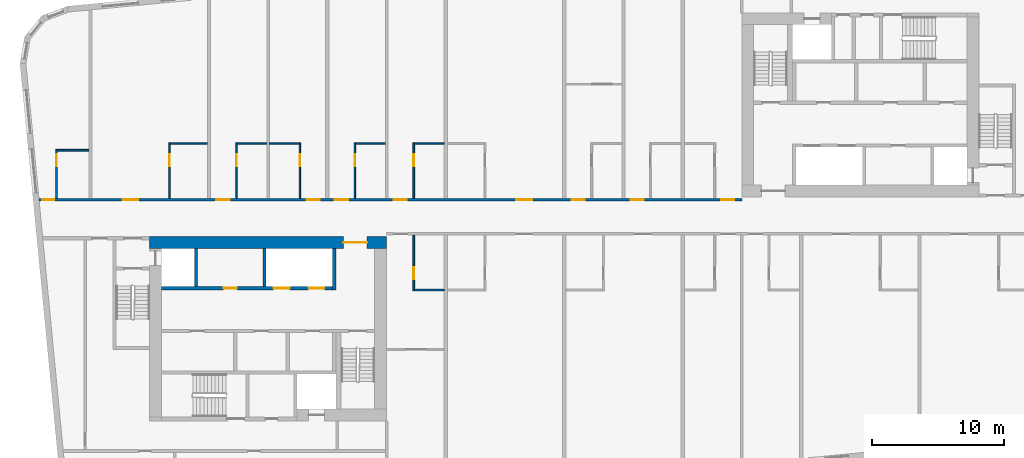
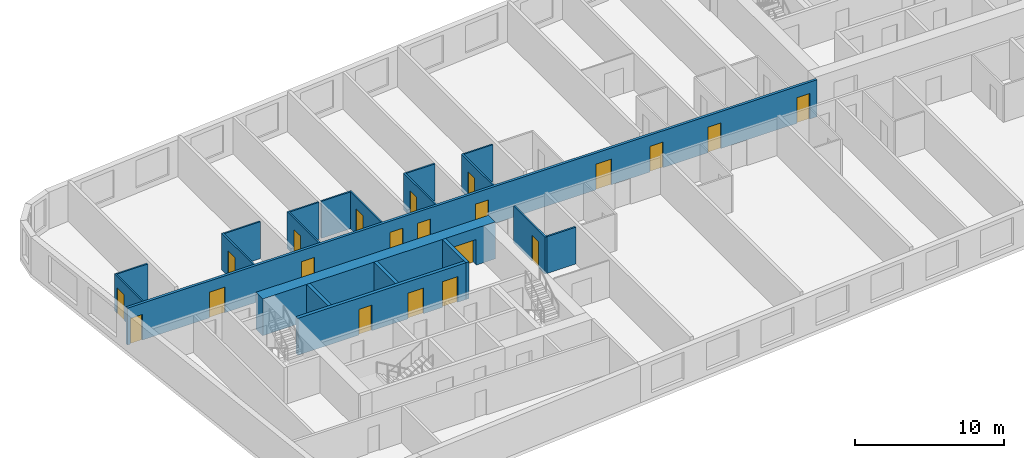
# One storey, part 3 of 11: 21 doors, 20 walls, 21 openings.
"""IFC4 building model written with IfcOpenShell, lengths in metres."""

from ifc_helpers import new_model, si_unit, direction, frame, frame_2d, origin, place, context, subcontext, project, spatial, rectangle, extrude, material, layer, layer_set, type_object, element, fill, save


model = new_model("IFC4")

# Units and contexts
model_context = context("Model", 3, precision=1e-05, world=origin(), true_north=direction((0.0, 1.0)))
body_context = subcontext(model_context, "Body", "Model", "MODEL_VIEW")
ifc_project = project(units=[si_unit("LENGTHUNIT", "METRE"), si_unit("AREAUNIT", "SQUARE_METRE"), si_unit("VOLUMEUNIT", "CUBIC_METRE"), si_unit("PLANEANGLEUNIT", "RADIAN"), si_unit("MASSUNIT", "GRAM", prefix="KILO")], contexts=[model_context])

# Site, building, storey
site_placement = place(None, origin())
site = spatial("IfcSite", under=ifc_project, at=site_placement, CompositionType="ELEMENT")
building_placement = place(site_placement, origin())
building = spatial("IfcBuilding", under=site, at=building_placement, Name="Kajstack Hotel Tower", CompositionType="ELEMENT")
storey_placement = place(building_placement, frame((0.0, 0.0, 291.60009765625)))
storey = spatial("IfcBuildingStorey", under=building, at=storey_placement, Name="L73", CompositionType="ELEMENT", Elevation=291.60009765625)

# Wall, opening, door
ifc_material_1 = material(Name="Concrete C60/75", Category="concrete")
ifc_layer_1 = layer(ifc_material_1, 0.89990234375)
ifc_layer_set_1 = layer_set([ifc_layer_1], Name="Core wall 900")
wall_type_1 = type_object("IfcWallType", Name="Core wall 900", PredefinedType="SHEAR", material=ifc_layer_set_1)
wall_1_placement = place(storey_placement, frame((-31.5, -1.949951171875, 0.0), z_axis=(0.0, 0.0, 1.0), x_axis=(1.0, 0.0, 0.0)))
wall_1 = element("IfcWall", 1, at=wall_1_placement, inside=storey, type_object=wall_type_1, Name="Core wall W RN", PredefinedType="SHEAR", context=body_context, shape_type="SweptSolid", body=[
    extrude(rectangle(XDim=18.0, YDim=0.89990234375, at=frame_2d((9.0, 0.0))), origin(), (0.0, 0.0, 1.0), 3.02001953125),
])
opening_1_placement = place(wall_1_placement, frame((14.72509765625, 0.0, 0.0)))
opening_1 = element("IfcOpeningElement", 2, at=opening_1_placement, cuts=wall_1, Name="Opening 73W05", PredefinedType="OPENING", context=body_context, shape_type="SweptSolid", body=[
    extrude(rectangle(XDim=1.800048828125, YDim=2.10009765625, at=frame_2d((0.89990234375, 1.050048828125))), frame((0.0, 0.4599609375, 0.0), z_axis=(0.0, -1.0, 0.0), x_axis=(1.0, 0.0, 0.0)), (0.0, 0.0, 1.0), 0.919921875),
])
ifc_material_2 = material(Name="Glazed steel frame, fire-rated glass", Category="steel")
door_type_1 = type_object("IfcDoorType", Name="Lobby double door 1800", OperationType="DOUBLE_DOOR_DOUBLE_SWING", PredefinedType="DOOR", material=ifc_material_2)
door_1_placement = place(opening_1_placement, origin())
door_1 = element("IfcDoor", 3, at=door_1_placement, inside=storey, type_object=door_type_1, Name="Door 73W05", OperationType="DOUBLE_DOOR_DOUBLE_SWING", OverallHeight=2.10009765625, OverallWidth=1.800048828125, PredefinedType="DOOR", context=body_context, shape_type="SweptSolid", body=[
    extrude(rectangle(XDim=1.800048828125, YDim=2.10009765625, at=frame_2d((0.89990234375, 1.050048828125))), frame((0.0, 0.02490234375, 0.0), z_axis=(0.0, -1.0, 0.0), x_axis=(1.0, 0.0, 0.0)), (0.0, 0.0, 1.0), 0.050048828125),
])
fill(opening_1, door_1)

# Wall, openings, doors
ifc_material_3 = material(Name="Gypsum board on steel studs, mineral wool", Category="steel")
ifc_layer_2 = layer(ifc_material_3, 0.199951171875)
ifc_layer_set_2 = layer_set([ifc_layer_2], Name="Corridor wall 200")
wall_type_2 = type_object("IfcWallType", Name="Corridor wall 200", PredefinedType="PARTITIONING", material=ifc_layer_set_2)
wall_2_placement = place(storey_placement, frame((-39.908935546875, 1.300048828125, 0.0), z_axis=(0.0, 0.0, 1.0), x_axis=(1.0, 0.0, 0.0)))
wall_2 = element("IfcWall", 4, at=wall_2_placement, inside=storey, type_object=wall_type_2, Name="G-wall-L73-003", PredefinedType="PARTITIONING", context=body_context, shape_type="SweptSolid", body=[
    extrude(rectangle(XDim=53.408935546875, YDim=0.199951171875, at=frame_2d((26.70458984375, 0.0))), origin(), (0.0, 0.0, 1.0), 3.02001953125),
])
opening_2_placement = place(wall_2_placement, frame((0.2548828125, 0.0, 0.0)))
opening_2 = element("IfcOpeningElement", 5, at=opening_2_placement, cuts=wall_2, Name="Opening 73001", PredefinedType="OPENING", context=body_context, shape_type="SweptSolid", body=[
    extrude(rectangle(XDim=0.89990234375, YDim=2.10009765625, at=frame_2d((0.449951171875, 1.050048828125))), frame((0.0, 0.10986328125, 0.0), z_axis=(0.0, -1.0, 0.0), x_axis=(1.0, 0.0, 0.0)), (0.0, 0.0, 1.0), 0.219970703125),
])
opening_3_placement = place(wall_2_placement, frame((6.346923828125, 0.0, 0.0)))
opening_3 = element("IfcOpeningElement", 6, at=opening_3_placement, cuts=wall_2, Name="Opening 73003", PredefinedType="OPENING", context=body_context, shape_type="SweptSolid", body=[
    extrude(rectangle(XDim=1.199951171875, YDim=2.10009765625, at=frame_2d((0.60009765625, 1.050048828125))), frame((0.0, 0.10986328125, 0.0), z_axis=(0.0, -1.0, 0.0), x_axis=(1.0, 0.0, 0.0)), (0.0, 0.0, 1.0), 0.219970703125),
])
opening_4_placement = place(wall_2_placement, frame((13.48388671875, 0.0, 0.0)))
opening_4 = element("IfcOpeningElement", 7, at=opening_4_placement, cuts=wall_2, Name="Opening 73005", PredefinedType="OPENING", context=body_context, shape_type="SweptSolid", body=[
    extrude(rectangle(XDim=1.0, YDim=2.10009765625, at=frame_2d((0.5, 1.050048828125))), frame((0.0, 0.10986328125, 0.0), z_axis=(0.0, -1.0, 0.0), x_axis=(1.0, 0.0, 0.0)), (0.0, 0.0, 1.0), 0.219970703125),
])
opening_5_placement = place(wall_2_placement, frame((20.333984375, 0.0, 0.0)))
opening_5 = element("IfcOpeningElement", 8, at=opening_5_placement, cuts=wall_2, Name="Opening 73007", PredefinedType="OPENING", context=body_context, shape_type="SweptSolid", body=[
    extrude(rectangle(XDim=1.0, YDim=2.10009765625, at=frame_2d((0.5, 1.050048828125))), frame((0.0, 0.10986328125, 0.0), z_axis=(0.0, -1.0, 0.0), x_axis=(1.0, 0.0, 0.0)), (0.0, 0.0, 1.0), 0.219970703125),
])
opening_6_placement = place(wall_2_placement, frame((22.48388671875, 0.0, 0.0)))
opening_6 = element("IfcOpeningElement", 9, at=opening_6_placement, cuts=wall_2, Name="Opening 73009", PredefinedType="OPENING", context=body_context, shape_type="SweptSolid", body=[
    extrude(rectangle(XDim=1.0, YDim=2.10009765625, at=frame_2d((0.5, 1.050048828125))), frame((0.0, 0.10986328125, 0.0), z_axis=(0.0, -1.0, 0.0), x_axis=(1.0, 0.0, 0.0)), (0.0, 0.0, 1.0), 0.219970703125),
])
opening_7_placement = place(wall_2_placement, frame((26.958984375, 0.0, 0.0)))
opening_7 = element("IfcOpeningElement", 10, at=opening_7_placement, cuts=wall_2, Name="Opening 73011", PredefinedType="OPENING", context=body_context, shape_type="SweptSolid", body=[
    extrude(rectangle(XDim=1.0, YDim=2.10009765625, at=frame_2d((0.5, 1.050048828125))), frame((0.0, 0.10986328125, 0.0), z_axis=(0.0, -1.0, 0.0), x_axis=(1.0, 0.0, 0.0)), (0.0, 0.0, 1.0), 0.219970703125),
])
opening_8_placement = place(wall_2_placement, frame((36.27099609375, 0.0, 0.0)))
opening_8 = element("IfcOpeningElement", 11, at=opening_8_placement, cuts=wall_2, Name="Opening 73013", PredefinedType="OPENING", context=body_context, shape_type="SweptSolid", body=[
    extrude(rectangle(XDim=1.199951171875, YDim=2.10009765625, at=frame_2d((0.60009765625, 1.050048828125))), frame((0.0, 0.10986328125, 0.0), z_axis=(0.0, -1.0, 0.0), x_axis=(1.0, 0.0, 0.0)), (0.0, 0.0, 1.0), 0.219970703125),
])
opening_9_placement = place(wall_2_placement, frame((40.48388671875, 0.0, 0.0)))
opening_9 = element("IfcOpeningElement", 12, at=opening_9_placement, cuts=wall_2, Name="Opening 73015", PredefinedType="OPENING", context=body_context, shape_type="SweptSolid", body=[
    extrude(rectangle(XDim=1.0, YDim=2.10009765625, at=frame_2d((0.5, 1.050048828125))), frame((0.0, 0.10986328125, 0.0), z_axis=(0.0, -1.0, 0.0), x_axis=(1.0, 0.0, 0.0)), (0.0, 0.0, 1.0), 0.219970703125),
])
opening_10_placement = place(wall_2_placement, frame((44.958984375, 0.0, 0.0)))
opening_10 = element("IfcOpeningElement", 13, at=opening_10_placement, cuts=wall_2, Name="Opening 73018", PredefinedType="OPENING", context=body_context, shape_type="SweptSolid", body=[
    extrude(rectangle(XDim=1.0, YDim=2.10009765625, at=frame_2d((0.5, 1.050048828125))), frame((0.0, 0.10986328125, 0.0), z_axis=(0.0, -1.0, 0.0), x_axis=(1.0, 0.0, 0.0)), (0.0, 0.0, 1.0), 0.219970703125),
])
opening_11_placement = place(wall_2_placement, frame((51.833984375, 0.0, 0.0)))
opening_11 = element("IfcOpeningElement", 14, at=opening_11_placement, cuts=wall_2, Name="Opening 73020", PredefinedType="OPENING", context=body_context, shape_type="SweptSolid", body=[
    extrude(rectangle(XDim=1.0, YDim=2.10009765625, at=frame_2d((0.5, 1.050048828125))), frame((0.0, 0.10986328125, 0.0), z_axis=(0.0, -1.0, 0.0), x_axis=(1.0, 0.0, 0.0)), (0.0, 0.0, 1.0), 0.219970703125),
])
ifc_material_4 = material(Name="Oak veneer on timber core, fire-rated leaf", Category="wood")
door_type_2 = type_object("IfcDoorType", Name="Flat entrance door 1000", OperationType="SINGLE_SWING_LEFT", PredefinedType="DOOR", material=ifc_material_4)
door_2_placement = place(opening_4_placement, origin())
door_2 = element("IfcDoor", 15, at=door_2_placement, inside=storey, type_object=door_type_2, Name="G-door-L73-05", OperationType="SINGLE_SWING_RIGHT", OverallHeight=2.10009765625, OverallWidth=1.0, PredefinedType="DOOR", context=body_context, shape_type="SweptSolid", body=[
    extrude(rectangle(XDim=1.0, YDim=2.10009765625, at=frame_2d((0.5, 1.050048828125))), frame((0.0, 0.02490234375, 0.0), z_axis=(0.0, -1.0, 0.0), x_axis=(1.0, 0.0, 0.0)), (0.0, 0.0, 1.0), 0.050048828125),
])
fill(opening_4, door_2)
door_3_placement = place(opening_5_placement, origin())
door_3 = element("IfcDoor", 16, at=door_3_placement, inside=storey, type_object=door_type_2, Name="G-door-L73-07", OperationType="SINGLE_SWING_LEFT", OverallHeight=2.10009765625, OverallWidth=1.0, PredefinedType="DOOR", context=body_context, shape_type="SweptSolid", body=[
    extrude(rectangle(XDim=1.0, YDim=2.10009765625, at=frame_2d((0.5, 1.050048828125))), frame((0.0, 0.02490234375, 0.0), z_axis=(0.0, -1.0, 0.0), x_axis=(1.0, 0.0, 0.0)), (0.0, 0.0, 1.0), 0.050048828125),
])
fill(opening_5, door_3)
door_4_placement = place(opening_6_placement, origin())
door_4 = element("IfcDoor", 17, at=door_4_placement, inside=storey, type_object=door_type_2, Name="G-door-L73-09", OperationType="SINGLE_SWING_LEFT", OverallHeight=2.10009765625, OverallWidth=1.0, PredefinedType="DOOR", context=body_context, shape_type="SweptSolid", body=[
    extrude(rectangle(XDim=1.0, YDim=2.10009765625, at=frame_2d((0.5, 1.050048828125))), frame((0.0, 0.02490234375, 0.0), z_axis=(0.0, -1.0, 0.0), x_axis=(1.0, 0.0, 0.0)), (0.0, 0.0, 1.0), 0.050048828125),
])
fill(opening_6, door_4)
door_5_placement = place(opening_7_placement, origin())
door_5 = element("IfcDoor", 18, at=door_5_placement, inside=storey, type_object=door_type_2, Name="G-door-L73-11", OperationType="SINGLE_SWING_RIGHT", OverallHeight=2.10009765625, OverallWidth=1.0, PredefinedType="DOOR", context=body_context, shape_type="SweptSolid", body=[
    extrude(rectangle(XDim=1.0, YDim=2.10009765625, at=frame_2d((0.5, 1.050048828125))), frame((0.0, 0.02490234375, 0.0), z_axis=(0.0, -1.0, 0.0), x_axis=(1.0, 0.0, 0.0)), (0.0, 0.0, 1.0), 0.050048828125),
])
fill(opening_7, door_5)
door_6_placement = place(opening_9_placement, origin())
door_6 = element("IfcDoor", 19, at=door_6_placement, inside=storey, type_object=door_type_2, Name="G-door-L73-15", OperationType="SINGLE_SWING_LEFT", OverallHeight=2.10009765625, OverallWidth=1.0, PredefinedType="DOOR", context=body_context, shape_type="SweptSolid", body=[
    extrude(rectangle(XDim=1.0, YDim=2.10009765625, at=frame_2d((0.5, 1.050048828125))), frame((0.0, 0.02490234375, 0.0), z_axis=(0.0, -1.0, 0.0), x_axis=(1.0, 0.0, 0.0)), (0.0, 0.0, 1.0), 0.050048828125),
])
fill(opening_9, door_6)
door_7_placement = place(opening_10_placement, origin())
door_7 = element("IfcDoor", 20, at=door_7_placement, inside=storey, type_object=door_type_2, Name="G-door-L73-18", OperationType="SINGLE_SWING_RIGHT", OverallHeight=2.10009765625, OverallWidth=1.0, PredefinedType="DOOR", context=body_context, shape_type="SweptSolid", body=[
    extrude(rectangle(XDim=1.0, YDim=2.10009765625, at=frame_2d((0.5, 1.050048828125))), frame((0.0, 0.02490234375, 0.0), z_axis=(0.0, -1.0, 0.0), x_axis=(1.0, 0.0, 0.0)), (0.0, 0.0, 1.0), 0.050048828125),
])
fill(opening_10, door_7)
door_8_placement = place(opening_11_placement, origin())
door_8 = element("IfcDoor", 21, at=door_8_placement, inside=storey, type_object=door_type_2, Name="G-door-L73-20", OperationType="SINGLE_SWING_RIGHT", OverallHeight=2.10009765625, OverallWidth=1.0, PredefinedType="DOOR", context=body_context, shape_type="SweptSolid", body=[
    extrude(rectangle(XDim=1.0, YDim=2.10009765625, at=frame_2d((0.5, 1.050048828125))), frame((0.0, 0.02490234375, 0.0), z_axis=(0.0, -1.0, 0.0), x_axis=(1.0, 0.0, 0.0)), (0.0, 0.0, 1.0), 0.050048828125),
])
fill(opening_11, door_8)
door_type_3 = type_object("IfcDoorType", Name="Flat entrance door 1200", OperationType="SINGLE_SWING_LEFT", PredefinedType="DOOR", material=ifc_material_4)
door_9_placement = place(opening_3_placement, origin())
door_9 = element("IfcDoor", 22, at=door_9_placement, inside=storey, type_object=door_type_3, Name="G-door-L73-03", OperationType="SINGLE_SWING_LEFT", OverallHeight=2.10009765625, OverallWidth=1.199951171875, PredefinedType="DOOR", context=body_context, shape_type="SweptSolid", body=[
    extrude(rectangle(XDim=1.199951171875, YDim=2.10009765625, at=frame_2d((0.60009765625, 1.050048828125))), frame((0.0, 0.02490234375, 0.0), z_axis=(0.0, -1.0, 0.0), x_axis=(1.0, 0.0, 0.0)), (0.0, 0.0, 1.0), 0.050048828125),
])
fill(opening_3, door_9)
door_10_placement = place(opening_8_placement, origin())
door_10 = element("IfcDoor", 23, at=door_10_placement, inside=storey, type_object=door_type_3, Name="G-door-L73-13", OperationType="SINGLE_SWING_RIGHT", OverallHeight=2.10009765625, OverallWidth=1.199951171875, PredefinedType="DOOR", context=body_context, shape_type="SweptSolid", body=[
    extrude(rectangle(XDim=1.199951171875, YDim=2.10009765625, at=frame_2d((0.60009765625, 1.050048828125))), frame((0.0, 0.02490234375, 0.0), z_axis=(0.0, -1.0, 0.0), x_axis=(1.0, 0.0, 0.0)), (0.0, 0.0, 1.0), 0.050048828125),
])
fill(opening_8, door_10)
ifc_material_5 = material(Name="Painted timber door leaf", Category="wood")
door_type_4 = type_object("IfcDoorType", Name="Room door 900", OperationType="SINGLE_SWING_LEFT", PredefinedType="DOOR", material=ifc_material_5)
door_11_placement = place(opening_2_placement, origin())
door_11 = element("IfcDoor", 24, at=door_11_placement, inside=storey, type_object=door_type_4, Name="G-door-L73-01", OperationType="SINGLE_SWING_LEFT", OverallHeight=2.10009765625, OverallWidth=0.89990234375, PredefinedType="DOOR", context=body_context, shape_type="SweptSolid", body=[
    extrude(rectangle(XDim=0.89990234375, YDim=2.10009765625, at=frame_2d((0.449951171875, 1.050048828125))), frame((0.0, 0.02490234375, 0.0), z_axis=(0.0, -1.0, 0.0), x_axis=(1.0, 0.0, 0.0)), (0.0, 0.0, 1.0), 0.050048828125),
])
fill(opening_2, door_11)

# Wall, opening, door
ifc_material_6 = material(Name="Gypsum board and tiled backer on steel studs", Category="steel")
ifc_layer_3 = layer(ifc_material_6, 0.125)
ifc_layer_set_3 = layer_set([ifc_layer_3], Name="En-suite wall 125")
wall_type_3 = type_object("IfcWallType", Name="En-suite wall 125", PredefinedType="PARTITIONING", material=ifc_layer_set_3)
wall_3_placement = place(storey_placement, frame((-38.5869140625, 1.39990234375, 0.0), z_axis=(0.0, 0.0, 1.0), x_axis=(0.0, 1.0, 0.0)))
wall_3 = element("IfcWall", 25, at=wall_3_placement, inside=storey, type_object=wall_type_3, Name="G-wall-L73-004", PredefinedType="PARTITIONING", context=body_context, shape_type="SweptSolid", body=[
    extrude(rectangle(XDim=3.72509765625, YDim=0.125, at=frame_2d((1.862548828125, 0.0))), origin(), (0.0, 0.0, 1.0), 3.02001953125),
])
opening_12_placement = place(wall_3_placement, frame((2.449951171875, 0.0, 0.0)))
opening_12 = element("IfcOpeningElement", 26, at=opening_12_placement, cuts=wall_3, Name="Opening 73002", PredefinedType="OPENING", context=body_context, shape_type="SweptSolid", body=[
    extrude(rectangle(XDim=0.89990234375, YDim=2.10009765625, at=frame_2d((0.449951171875, 1.050048828125))), frame((0.0, 0.072509765625, 0.0), z_axis=(0.0, -1.0, 0.0), x_axis=(1.0, 0.0, 0.0)), (0.0, 0.0, 1.0), 0.14501953125),
])
door_12_placement = place(opening_12_placement, origin())
door_12 = element("IfcDoor", 27, at=door_12_placement, inside=storey, type_object=door_type_4, Name="G-door-L73-02", OperationType="SINGLE_SWING_RIGHT", OverallHeight=2.10009765625, OverallWidth=0.89990234375, PredefinedType="DOOR", context=body_context, shape_type="SweptSolid", body=[
    extrude(rectangle(XDim=0.89990234375, YDim=2.10009765625, at=frame_2d((0.449951171875, 1.050048828125))), frame((0.0, 0.02490234375, 0.0), z_axis=(0.0, -1.0, 0.0), x_axis=(1.0, 0.0, 0.0)), (0.0, 0.0, 1.0), 0.050048828125),
])
fill(opening_12, door_12)

# Wall
wall_4_placement = place(storey_placement, frame((-38.52490234375, 5.06201171875, 0.0), z_axis=(0.0, 0.0, 1.0), x_axis=(1.0, 0.0, 0.0)))
element("IfcWall", 28, at=wall_4_placement, inside=storey, type_object=wall_type_3, Name="G-wall-L73-005", PredefinedType="PARTITIONING", context=body_context, shape_type="SweptSolid", body=[
    extrude(rectangle(XDim=2.39990234375, YDim=0.125, at=frame_2d((1.199951171875, 0.0))), origin(), (0.0, 0.0, 1.0), 3.02001953125),
])

# Wall, opening, door
wall_5_placement = place(storey_placement, frame((-29.988037109375, 1.39990234375, 0.0), z_axis=(0.0, 0.0, 1.0), x_axis=(0.0, 1.0, 0.0)))
wall_5 = element("IfcWall", 29, at=wall_5_placement, inside=storey, type_object=wall_type_3, Name="G-wall-L73-006", PredefinedType="PARTITIONING", context=body_context, shape_type="SweptSolid", body=[
    extrude(rectangle(XDim=4.22509765625, YDim=0.125, at=frame_2d((2.112548828125, 0.0))), origin(), (0.0, 0.0, 1.0), 3.02001953125),
])
opening_13_placement = place(wall_5_placement, frame((2.449951171875, 0.0, 0.0)))
opening_13 = element("IfcOpeningElement", 30, at=opening_13_placement, cuts=wall_5, Name="Opening 73004", PredefinedType="OPENING", context=body_context, shape_type="SweptSolid", body=[
    extrude(rectangle(XDim=0.89990234375, YDim=2.10009765625, at=frame_2d((0.449951171875, 1.050048828125))), frame((0.0, 0.072509765625, 0.0), z_axis=(0.0, -1.0, 0.0), x_axis=(1.0, 0.0, 0.0)), (0.0, 0.0, 1.0), 0.14501953125),
])
door_13_placement = place(opening_13_placement, origin())
door_13 = element("IfcDoor", 31, at=door_13_placement, inside=storey, type_object=door_type_4, Name="G-door-L73-04", OperationType="SINGLE_SWING_LEFT", OverallHeight=2.10009765625, OverallWidth=0.89990234375, PredefinedType="DOOR", context=body_context, shape_type="SweptSolid", body=[
    extrude(rectangle(XDim=0.89990234375, YDim=2.10009765625, at=frame_2d((0.449951171875, 1.050048828125))), frame((0.0, 0.02490234375, 0.0), z_axis=(0.0, -1.0, 0.0), x_axis=(1.0, 0.0, 0.0)), (0.0, 0.0, 1.0), 0.050048828125),
])
fill(opening_13, door_13)

# Wall
wall_6_placement = place(storey_placement, frame((-29.925048828125, 5.56201171875, 0.0), z_axis=(0.0, 0.0, 1.0), x_axis=(1.0, 0.0, 0.0)))
element("IfcWall", 32, at=wall_6_placement, inside=storey, type_object=wall_type_3, Name="G-wall-L73-007", PredefinedType="PARTITIONING", context=body_context, shape_type="SweptSolid", body=[
    extrude(rectangle(XDim=2.800048828125, YDim=0.125, at=frame_2d((1.39990234375, 0.0))), origin(), (0.0, 0.0, 1.0), 3.02001953125),
])

# Wall, opening, door
wall_7_placement = place(storey_placement, frame((-24.9130859375, 1.39990234375, 0.0), z_axis=(0.0, 0.0, 1.0), x_axis=(0.0, 1.0, 0.0)))
wall_7 = element("IfcWall", 33, at=wall_7_placement, inside=storey, type_object=wall_type_3, Name="G-wall-L73-009", PredefinedType="PARTITIONING", context=body_context, shape_type="SweptSolid", body=[
    extrude(rectangle(XDim=4.22509765625, YDim=0.125, at=frame_2d((2.112548828125, 0.0))), origin(), (0.0, 0.0, 1.0), 3.02001953125),
])
opening_14_placement = place(wall_7_placement, frame((2.449951171875, 0.0, 0.0)))
opening_14 = element("IfcOpeningElement", 34, at=opening_14_placement, cuts=wall_7, Name="Opening 73006", PredefinedType="OPENING", context=body_context, shape_type="SweptSolid", body=[
    extrude(rectangle(XDim=0.89990234375, YDim=2.10009765625, at=frame_2d((0.449951171875, 1.050048828125))), frame((0.0, 0.072509765625, 0.0), z_axis=(0.0, -1.0, 0.0), x_axis=(1.0, 0.0, 0.0)), (0.0, 0.0, 1.0), 0.14501953125),
])
door_14_placement = place(opening_14_placement, origin())
door_14 = element("IfcDoor", 35, at=door_14_placement, inside=storey, type_object=door_type_4, Name="G-door-L73-06", OperationType="SINGLE_SWING_LEFT", OverallHeight=2.10009765625, OverallWidth=0.89990234375, PredefinedType="DOOR", context=body_context, shape_type="SweptSolid", body=[
    extrude(rectangle(XDim=0.89990234375, YDim=2.10009765625, at=frame_2d((0.449951171875, 1.050048828125))), frame((0.0, 0.02490234375, 0.0), z_axis=(0.0, -1.0, 0.0), x_axis=(1.0, 0.0, 0.0)), (0.0, 0.0, 1.0), 0.050048828125),
])
fill(opening_14, door_14)

# Wall
wall_8_placement = place(storey_placement, frame((-24.85009765625, 5.56201171875, 0.0), z_axis=(0.0, 0.0, 1.0), x_axis=(1.0, 0.0, 0.0)))
element("IfcWall", 36, at=wall_8_placement, inside=storey, type_object=wall_type_3, Name="G-wall-L73-010", PredefinedType="PARTITIONING", context=body_context, shape_type="SweptSolid", body=[
    extrude(rectangle(XDim=2.25, YDim=0.125, at=frame_2d((1.125, 0.0))), origin(), (0.0, 0.0, 1.0), 3.02001953125),
])

# Wall, opening, door
wall_9_placement = place(storey_placement, frame((-20.0869140625, 1.39990234375, 0.0), z_axis=(0.0, 0.0, 1.0), x_axis=(0.0, 1.0, 0.0)))
wall_9 = element("IfcWall", 37, at=wall_9_placement, inside=storey, type_object=wall_type_3, Name="G-wall-L73-011", PredefinedType="PARTITIONING", context=body_context, shape_type="SweptSolid", body=[
    extrude(rectangle(XDim=4.22509765625, YDim=0.125, at=frame_2d((2.112548828125, 0.0))), origin(), (0.0, 0.0, 1.0), 3.02001953125),
])
opening_15_placement = place(wall_9_placement, frame((2.449951171875, 0.0, 0.0)))
opening_15 = element("IfcOpeningElement", 38, at=opening_15_placement, cuts=wall_9, Name="Opening 73008", PredefinedType="OPENING", context=body_context, shape_type="SweptSolid", body=[
    extrude(rectangle(XDim=0.89990234375, YDim=2.10009765625, at=frame_2d((0.449951171875, 1.050048828125))), frame((0.0, 0.072509765625, 0.0), z_axis=(0.0, -1.0, 0.0), x_axis=(1.0, 0.0, 0.0)), (0.0, 0.0, 1.0), 0.14501953125),
])
door_15_placement = place(opening_15_placement, origin())
door_15 = element("IfcDoor", 39, at=door_15_placement, inside=storey, type_object=door_type_4, Name="G-door-L73-08", OperationType="SINGLE_SWING_RIGHT", OverallHeight=2.10009765625, OverallWidth=0.89990234375, PredefinedType="DOOR", context=body_context, shape_type="SweptSolid", body=[
    extrude(rectangle(XDim=0.89990234375, YDim=2.10009765625, at=frame_2d((0.449951171875, 1.050048828125))), frame((0.0, 0.02490234375, 0.0), z_axis=(0.0, -1.0, 0.0), x_axis=(1.0, 0.0, 0.0)), (0.0, 0.0, 1.0), 0.050048828125),
])
fill(opening_15, door_15)

# Wall
wall_10_placement = place(storey_placement, frame((-22.39990234375, 5.56201171875, 0.0), z_axis=(0.0, 0.0, 1.0), x_axis=(1.0, 0.0, 0.0)))
element("IfcWall", 40, at=wall_10_placement, inside=storey, type_object=wall_type_3, Name="G-wall-L73-012", PredefinedType="PARTITIONING", context=body_context, shape_type="SweptSolid", body=[
    extrude(rectangle(XDim=2.25, YDim=0.125, at=frame_2d((1.125, 0.0))), origin(), (0.0, 0.0, 1.0), 3.02001953125),
])

# Wall, opening, door
wall_11_placement = place(storey_placement, frame((-15.912109375, 1.39990234375, 0.0), z_axis=(0.0, 0.0, 1.0), x_axis=(0.0, 1.0, 0.0)))
wall_11 = element("IfcWall", 41, at=wall_11_placement, inside=storey, type_object=wall_type_3, Name="G-wall-L73-014", PredefinedType="PARTITIONING", context=body_context, shape_type="SweptSolid", body=[
    extrude(rectangle(XDim=4.22509765625, YDim=0.125, at=frame_2d((2.112548828125, 0.0))), origin(), (0.0, 0.0, 1.0), 3.02001953125),
])
opening_16_placement = place(wall_11_placement, frame((2.449951171875, 0.0, 0.0)))
opening_16 = element("IfcOpeningElement", 42, at=opening_16_placement, cuts=wall_11, Name="Opening 73010", PredefinedType="OPENING", context=body_context, shape_type="SweptSolid", body=[
    extrude(rectangle(XDim=0.89990234375, YDim=2.10009765625, at=frame_2d((0.449951171875, 1.050048828125))), frame((0.0, 0.072509765625, 0.0), z_axis=(0.0, -1.0, 0.0), x_axis=(1.0, 0.0, 0.0)), (0.0, 0.0, 1.0), 0.14501953125),
])
door_16_placement = place(opening_16_placement, origin())
door_16 = element("IfcDoor", 43, at=door_16_placement, inside=storey, type_object=door_type_4, Name="G-door-L73-10", OperationType="SINGLE_SWING_RIGHT", OverallHeight=2.10009765625, OverallWidth=0.89990234375, PredefinedType="DOOR", context=body_context, shape_type="SweptSolid", body=[
    extrude(rectangle(XDim=0.89990234375, YDim=2.10009765625, at=frame_2d((0.449951171875, 1.050048828125))), frame((0.0, 0.02490234375, 0.0), z_axis=(0.0, -1.0, 0.0), x_axis=(1.0, 0.0, 0.0)), (0.0, 0.0, 1.0), 0.050048828125),
])
fill(opening_16, door_16)

# Wall
wall_12_placement = place(storey_placement, frame((-15.85009765625, 5.56201171875, 0.0), z_axis=(0.0, 0.0, 1.0), x_axis=(1.0, 0.0, 0.0)))
element("IfcWall", 44, at=wall_12_placement, inside=storey, type_object=wall_type_3, Name="G-wall-L73-015", PredefinedType="PARTITIONING", context=body_context, shape_type="SweptSolid", body=[
    extrude(rectangle(XDim=2.25, YDim=0.125, at=frame_2d((1.125, 0.0))), origin(), (0.0, 0.0, 1.0), 3.02001953125),
])

# Wall, opening, door
wall_13_placement = place(storey_placement, frame((-11.43798828125, 1.39990234375, 0.0), z_axis=(0.0, 0.0, 1.0), x_axis=(0.0, 1.0, 0.0)))
wall_13 = element("IfcWall", 45, at=wall_13_placement, inside=storey, type_object=wall_type_3, Name="G-wall-L73-016", PredefinedType="PARTITIONING", context=body_context, shape_type="SweptSolid", body=[
    extrude(rectangle(XDim=4.22509765625, YDim=0.125, at=frame_2d((2.112548828125, 0.0))), origin(), (0.0, 0.0, 1.0), 3.02001953125),
])
opening_17_placement = place(wall_13_placement, frame((2.449951171875, 0.0, 0.0)))
opening_17 = element("IfcOpeningElement", 46, at=opening_17_placement, cuts=wall_13, Name="Opening 73012", PredefinedType="OPENING", context=body_context, shape_type="SweptSolid", body=[
    extrude(rectangle(XDim=0.89990234375, YDim=2.10009765625, at=frame_2d((0.449951171875, 1.050048828125))), frame((0.0, 0.072509765625, 0.0), z_axis=(0.0, -1.0, 0.0), x_axis=(1.0, 0.0, 0.0)), (0.0, 0.0, 1.0), 0.14501953125),
])
door_17_placement = place(opening_17_placement, origin())
door_17 = element("IfcDoor", 47, at=door_17_placement, inside=storey, type_object=door_type_4, Name="G-door-L73-12", OperationType="SINGLE_SWING_LEFT", OverallHeight=2.10009765625, OverallWidth=0.89990234375, PredefinedType="DOOR", context=body_context, shape_type="SweptSolid", body=[
    extrude(rectangle(XDim=0.89990234375, YDim=2.10009765625, at=frame_2d((0.449951171875, 1.050048828125))), frame((0.0, 0.02490234375, 0.0), z_axis=(0.0, -1.0, 0.0), x_axis=(1.0, 0.0, 0.0)), (0.0, 0.0, 1.0), 0.050048828125),
])
fill(opening_17, door_17)

# Wall
wall_14_placement = place(storey_placement, frame((-11.375, 5.56201171875, 0.0), z_axis=(0.0, 0.0, 1.0), x_axis=(1.0, 0.0, 0.0)))
element("IfcWall", 48, at=wall_14_placement, inside=storey, type_object=wall_type_3, Name="G-wall-L73-017", PredefinedType="PARTITIONING", context=body_context, shape_type="SweptSolid", body=[
    extrude(rectangle(XDim=2.25, YDim=0.125, at=frame_2d((1.125, 0.0))), origin(), (0.0, 0.0, 1.0), 3.02001953125),
])

# Wall, opening, door
wall_15_placement = place(storey_placement, frame((-11.43798828125, -5.625, 0.0), z_axis=(0.0, 0.0, 1.0), x_axis=(0.0, 1.0, 0.0)))
wall_15 = element("IfcWall", 49, at=wall_15_placement, inside=storey, type_object=wall_type_3, Name="G-wall-L73-029", PredefinedType="PARTITIONING", context=body_context, shape_type="SweptSolid", body=[
    extrude(rectangle(XDim=4.22509765625, YDim=0.125, at=frame_2d((2.112548828125, 0.0))), origin(), (0.0, 0.0, 1.0), 3.02001953125),
])
opening_18_placement = place(wall_15_placement, frame((0.875, 0.0, 0.0)))
opening_18 = element("IfcOpeningElement", 50, at=opening_18_placement, cuts=wall_15, Name="Opening 73023", PredefinedType="OPENING", context=body_context, shape_type="SweptSolid", body=[
    extrude(rectangle(XDim=0.89990234375, YDim=2.10009765625, at=frame_2d((0.449951171875, 1.050048828125))), frame((0.0, 0.072509765625, 0.0), z_axis=(0.0, -1.0, 0.0), x_axis=(1.0, 0.0, 0.0)), (0.0, 0.0, 1.0), 0.14501953125),
])
door_18_placement = place(opening_18_placement, origin())
door_18 = element("IfcDoor", 51, at=door_18_placement, inside=storey, type_object=door_type_4, Name="G-door-L73-23", OperationType="SINGLE_SWING_RIGHT", OverallHeight=2.10009765625, OverallWidth=0.89990234375, PredefinedType="DOOR", context=body_context, shape_type="SweptSolid", body=[
    extrude(rectangle(XDim=0.89990234375, YDim=2.10009765625, at=frame_2d((0.449951171875, 1.050048828125))), frame((0.0, 0.02490234375, 0.0), z_axis=(0.0, -1.0, 0.0), x_axis=(1.0, 0.0, 0.0)), (0.0, 0.0, 1.0), 0.050048828125),
])
fill(opening_18, door_18)

# Walls
wall_16_placement = place(storey_placement, frame((-11.375, -5.56201171875, 0.0), z_axis=(0.0, 0.0, 1.0), x_axis=(1.0, 0.0, 0.0)))
element("IfcWall", 52, at=wall_16_placement, inside=storey, type_object=wall_type_3, Name="G-wall-L73-030", PredefinedType="PARTITIONING", context=body_context, shape_type="SweptSolid", body=[
    extrude(rectangle(XDim=2.25, YDim=0.125, at=frame_2d((1.125, 0.0))), origin(), (0.0, 0.0, 1.0), 3.02001953125),
])
ifc_material_7 = material(Name="Concrete C50/60", Category="concrete")
ifc_layer_4 = layer(ifc_material_7, 0.300048828125)
ifc_layer_set_4 = layer_set([ifc_layer_4], Name="Hoistway divider wall 300")
wall_type_4 = type_object("IfcWallType", Name="Hoistway divider wall 300", PredefinedType="SHEAR", material=ifc_layer_set_4)
wall_17_placement = place(storey_placement, frame((-22.77490234375, -5.300048828125, 0.0), z_axis=(0.0, 0.0, 1.0), x_axis=(0.0, 1.0, 0.0)))
element("IfcWall", 53, at=wall_17_placement, inside=storey, type_object=wall_type_4, Name="Core wall W AP2", PredefinedType="SHEAR", context=body_context, shape_type="SweptSolid", body=[
    extrude(rectangle(XDim=2.900146484375, YDim=0.25, at=frame_2d((1.4501953125, 0.0))), origin(), (0.0, 0.0, 1.0), 3.02001953125),
])

# Wall, openings, doors
ifc_layer_5 = layer(ifc_material_7, 0.25)
ifc_layer_set_5 = layer_set([ifc_layer_5], Name="Shaft wall 250")
wall_type_5 = type_object("IfcWallType", Name="Shaft wall 250", PredefinedType="SHEAR", material=ifc_layer_set_5)
wall_18_placement = place(storey_placement, frame((-30.60009765625, -5.425048828125, 0.0), z_axis=(0.0, 0.0, 1.0), x_axis=(1.0, 0.0, 0.0)))
wall_18 = element("IfcWall", 54, at=wall_18_placement, inside=storey, type_object=wall_type_5, Name="Core wall W FA", PredefinedType="SHEAR", context=body_context, shape_type="SweptSolid", body=[
    extrude(rectangle(XDim=13.0, YDim=0.25, at=frame_2d((6.5, 0.0))), origin(), (0.0, 0.0, 1.0), 3.02001953125),
])
opening_19_placement = place(wall_18_placement, frame((8.52490234375, 0.0, 0.0)))
opening_19 = element("IfcOpeningElement", 55, at=opening_19_placement, cuts=wall_18, Name="Opening LD-HR1", PredefinedType="OPENING", context=body_context, shape_type="SweptSolid", body=[
    extrude(rectangle(XDim=1.199951171875, YDim=2.10009765625, at=frame_2d((0.60009765625, 1.050048828125))), frame((0.0, 0.135009765625, 0.0), z_axis=(0.0, -1.0, 0.0), x_axis=(1.0, 0.0, 0.0)), (0.0, 0.0, 1.0), 0.27001953125),
])
opening_20_placement = place(wall_18_placement, frame((11.175048828125, 0.0, 0.0)))
opening_20 = element("IfcOpeningElement", 56, at=opening_20_placement, cuts=wall_18, Name="Opening LD-HR2", PredefinedType="OPENING", context=body_context, shape_type="SweptSolid", body=[
    extrude(rectangle(XDim=1.199951171875, YDim=2.10009765625, at=frame_2d((0.60009765625, 1.050048828125))), frame((0.0, 0.135009765625, 0.0), z_axis=(0.0, -1.0, 0.0), x_axis=(1.0, 0.0, 0.0)), (0.0, 0.0, 1.0), 0.27001953125),
])
opening_21_placement = place(wall_18_placement, frame((4.72509765625, 0.0, 0.0)))
opening_21 = element("IfcOpeningElement", 57, at=opening_21_placement, cuts=wall_18, Name="Opening 73W15", PredefinedType="OPENING", context=body_context, shape_type="SweptSolid", body=[
    extrude(rectangle(XDim=1.0, YDim=2.10009765625, at=frame_2d((0.5, 1.050048828125))), frame((0.0, 0.135009765625, 0.0), z_axis=(0.0, -1.0, 0.0), x_axis=(1.0, 0.0, 0.0)), (0.0, 0.0, 1.0), 0.27001953125),
])
ifc_material_8 = material(Name="Stainless steel", Category="steel")
door_type_5 = type_object("IfcDoorType", Name="Lift landing door 1200", OperationType="SLIDING_TO_LEFT", PredefinedType="DOOR", material=ifc_material_8)
door_19_placement = place(opening_19_placement, origin())
door_19 = element("IfcDoor", 58, at=door_19_placement, inside=storey, type_object=door_type_5, Name="Landing door HR1", OperationType="SLIDING_TO_LEFT", OverallHeight=2.10009765625, OverallWidth=1.199951171875, PredefinedType="DOOR", context=body_context, shape_type="SweptSolid", body=[
    extrude(rectangle(XDim=1.199951171875, YDim=2.10009765625, at=frame_2d((0.60009765625, 1.050048828125))), frame((0.0, 0.02490234375, 0.0), z_axis=(0.0, -1.0, 0.0), x_axis=(1.0, 0.0, 0.0)), (0.0, 0.0, 1.0), 0.050048828125),
])
fill(opening_19, door_19)
door_20_placement = place(opening_20_placement, origin())
door_20 = element("IfcDoor", 59, at=door_20_placement, inside=storey, type_object=door_type_5, Name="Landing door HR2", OperationType="SLIDING_TO_RIGHT", OverallHeight=2.10009765625, OverallWidth=1.199951171875, PredefinedType="DOOR", context=body_context, shape_type="SweptSolid", body=[
    extrude(rectangle(XDim=1.199951171875, YDim=2.10009765625, at=frame_2d((0.60009765625, 1.050048828125))), frame((0.0, 0.02490234375, 0.0), z_axis=(0.0, -1.0, 0.0), x_axis=(1.0, 0.0, 0.0)), (0.0, 0.0, 1.0), 0.050048828125),
])
fill(opening_20, door_20)
ifc_material_9 = material(Name="Timber leaf, fire-rated", Category="wood")
door_type_6 = type_object("IfcDoorType", Name="Service room door 1000", OperationType="SINGLE_SWING_LEFT", PredefinedType="DOOR", material=ifc_material_9)
door_21_placement = place(opening_21_placement, origin())
door_21 = element("IfcDoor", 60, at=door_21_placement, inside=storey, type_object=door_type_6, Name="Door 73W15", OperationType="SINGLE_SWING_RIGHT", OverallHeight=2.10009765625, OverallWidth=1.0, PredefinedType="DOOR", context=body_context, shape_type="SweptSolid", body=[
    extrude(rectangle(XDim=1.0, YDim=2.10009765625, at=frame_2d((0.5, 1.050048828125))), frame((0.0, 0.02490234375, 0.0), z_axis=(0.0, -1.0, 0.0), x_axis=(1.0, 0.0, 0.0)), (0.0, 0.0, 1.0), 0.050048828125),
])
fill(opening_21, door_21)

# Walls
wall_19_placement = place(storey_placement, frame((-17.47509765625, -5.550048828125, 0.0), z_axis=(0.0, 0.0, 1.0), x_axis=(0.0, 1.0, 0.0)))
element("IfcWall", 61, at=wall_19_placement, inside=storey, type_object=wall_type_5, Name="Core wall W AE", PredefinedType="SHEAR", context=body_context, shape_type="SweptSolid", body=[
    extrude(rectangle(XDim=3.150146484375, YDim=0.25, at=frame_2d((1.5751953125, 0.0))), origin(), (0.0, 0.0, 1.0), 3.02001953125),
])
wall_20_placement = place(storey_placement, frame((-27.97509765625, -5.300048828125, 0.0), z_axis=(0.0, 0.0, 1.0), x_axis=(0.0, 1.0, 0.0)))
element("IfcWall", 62, at=wall_20_placement, inside=storey, type_object=wall_type_5, Name="Core wall W AP0", PredefinedType="SHEAR", context=body_context, shape_type="SweptSolid", body=[
    extrude(rectangle(XDim=2.900146484375, YDim=0.25, at=frame_2d((1.4501953125, 0.0))), origin(), (0.0, 0.0, 1.0), 3.02001953125),
])

save(model, "model.ifc")
